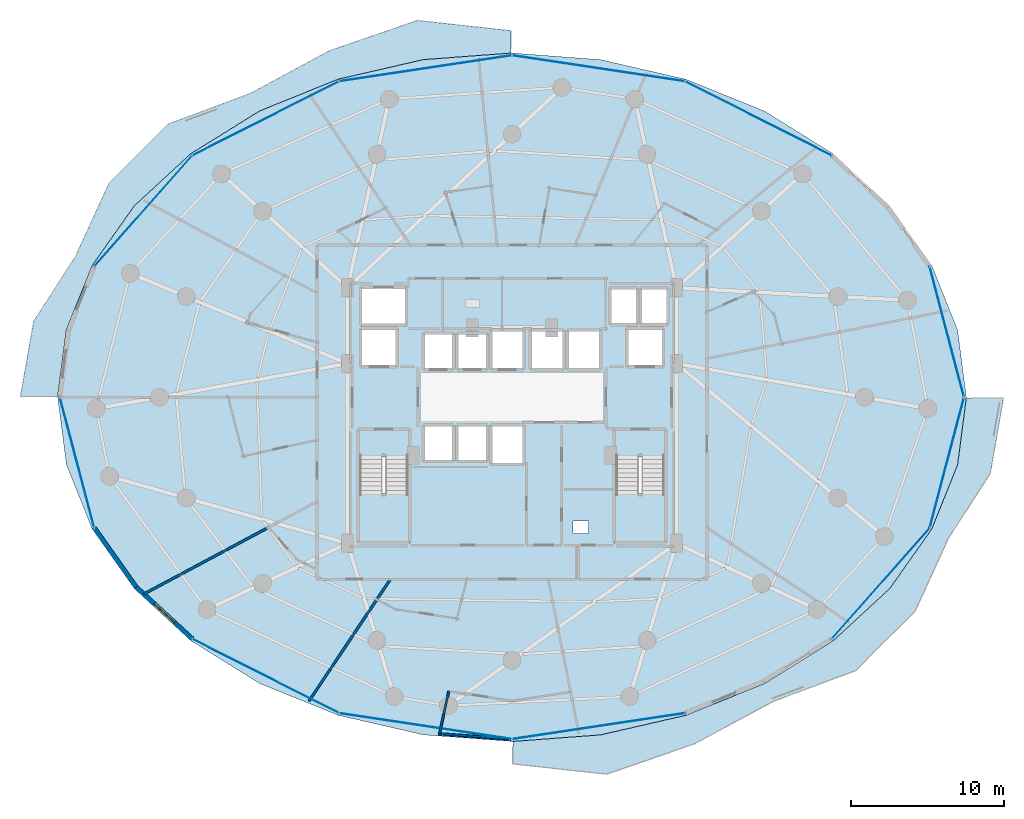
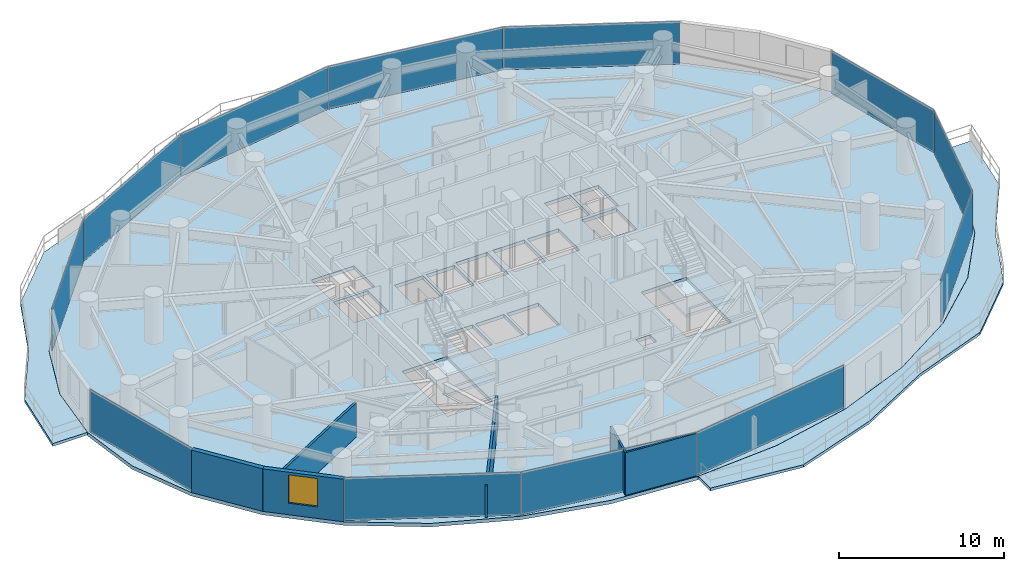
# One storey, part 25 of 34: 12 plates, 6 walls, 5 slabs, 1 window, 1 opening, 6 elements without a shape of their own.
"""IFC4 building model written with IfcOpenShell, lengths in metres."""

from ifc_helpers import new_model, si_unit, direction, frame, frame_2d, origin, origin_2d, place, context, subcontext, project, spatial, polyline, rectangle, outline, extrude, material, layer, layer_set, type_object, element, fill, aggregate, save


model = new_model("IFC4")

# Units and contexts
model_context = context("Model", 3, precision=1e-05, world=origin(), true_north=direction((0.0, 1.0)))
body_context = subcontext(model_context, "Body", "Model", "MODEL_VIEW")
ifc_project = project(units=[si_unit("LENGTHUNIT", "METRE"), si_unit("AREAUNIT", "SQUARE_METRE"), si_unit("VOLUMEUNIT", "CUBIC_METRE"), si_unit("PLANEANGLEUNIT", "RADIAN"), si_unit("MASSUNIT", "GRAM", prefix="KILO")], contexts=[model_context])

# Site, building, storey
site_placement = place(None, origin())
site = spatial("IfcSite", under=ifc_project, at=site_placement, CompositionType="ELEMENT")
building_placement = place(site_placement, origin())
building = spatial("IfcBuilding", under=site, at=building_placement, Name="Vorneva Point Tower", CompositionType="ELEMENT")
storey_placement = place(building_placement, frame((0.0, 0.0, 66.0)))
storey = spatial("IfcBuildingStorey", under=building, at=storey_placement, Name="L17", CompositionType="ELEMENT", Elevation=66.0)

# Curtain wall, plates
ifc_material_1 = material(Name="Pale anodised aluminium", Category="aluminium")
curtain_wall_type = type_object("IfcCurtainWallType", Name="CW-HTL-SYS", PredefinedType="NOTDEFINED", material=ifc_material_1)
curtain_wall_1_placement = place(storey_placement, origin())
curtain_wall_1 = element("IfcCurtainWall", 1, at=curtain_wall_1_placement, inside=storey, type_object=curtain_wall_type, Name="L17 Unitised Curtain Wall CW-L17-R01", PredefinedType="NOTDEFINED")
ifc_material_2 = material(Name="Double low-e laminated glass IGU", Category="glass")
ifc_layer_1 = layer(ifc_material_2, 0.035888671875)
ifc_layer_set_1 = layer_set([ifc_layer_1], Name="Double low-e laminated glass IGU")
plate_type = type_object("IfcPlateType", Name="CW-PNL-VIS", PredefinedType="CURTAIN_PANEL", material=ifc_layer_set_1)
plate_1_placement = place(storey_placement, frame((62.097900390625, 13.821533203125, -0.02001953125), z_axis=(0.0, 0.0, 1.0), x_axis=(0.662070857019, 0.749441245386, 0.0)))
plate_1 = element("IfcPlate", 2, at=plate_1_placement, type_object=plate_type, Name="CW-L17-R01 Glazed Panel 01", PredefinedType="CURTAIN_PANEL", context=body_context, shape_type="SweptSolid", body=[
    extrude(rectangle(XDim=9.625, YDim=0.035888671875, at=origin_2d()), origin(), (0.0, 0.0, 1.0), 3.18994140625),
])
plate_2_placement = place(storey_placement, frame((66.42529296875, 21.723388671875, -0.02001953125), z_axis=(0.0, 0.0, 1.0), x_axis=(0.254348767449, 0.967112560407, 0.0)))
plate_2 = element("IfcPlate", 3, at=plate_2_placement, type_object=plate_type, Name="CW-L17-R01 Glazed Panel 02", PredefinedType="CURTAIN_PANEL", context=body_context, shape_type="SweptSolid", body=[
    extrude(rectangle(XDim=8.793701171875, YDim=0.035888671875, at=origin_2d()), origin(), (0.0, 0.0, 1.0), 3.18994140625),
])
plate_3_placement = place(storey_placement, frame((66.42529296875, 30.276611328125, -0.02001953125), z_axis=(0.0, 0.0, 1.0), x_axis=(-0.254348767449, 0.967112560407, 0.0)))
plate_3 = element("IfcPlate", 4, at=plate_3_placement, type_object=plate_type, Name="CW-L17-R01 Glazed Panel 03", PredefinedType="CURTAIN_PANEL", context=body_context, shape_type="SweptSolid", body=[
    extrude(rectangle(XDim=8.793701171875, YDim=0.035888671875, at=origin_2d()), origin(), (0.0, 0.0, 1.0), 3.18994140625),
])
aggregate(curtain_wall_1, [plate_1, plate_2, plate_3])

curtain_wall_2_placement = place(storey_placement, origin())
curtain_wall_2 = element("IfcCurtainWall", 5, at=curtain_wall_2_placement, inside=storey, type_object=curtain_wall_type, Name="L17 Unitised Curtain Wall CW-L17-R02", PredefinedType="NOTDEFINED")
plate_4_placement = place(storey_placement, frame((54.101806640625, 44.226318359375, -0.02001953125), z_axis=(0.0, 0.0, 1.0), x_axis=(-0.892499239729, 0.451048896554, 0.0)))
plate_4 = element("IfcPlate", 6, at=plate_4_placement, type_object=plate_type, Name="CW-L17-R02 Glazed Panel 01", PredefinedType="CURTAIN_PANEL", context=body_context, shape_type="SweptSolid", body=[
    extrude(rectangle(XDim=10.69140625, YDim=0.035888671875, at=origin_2d()), origin(), (0.0, 0.0, 1.0), 3.18994140625),
])
plate_5_placement = place(storey_placement, frame((43.654296875, 47.499267578125, -0.02001953125), z_axis=(0.0, 0.0, 1.0), x_axis=(-0.988870924381, 0.148775989034, 0.0)))
plate_5 = element("IfcPlate", 7, at=plate_5_placement, type_object=plate_type, Name="CW-L17-R02 Glazed Panel 02", PredefinedType="CURTAIN_PANEL", context=body_context, shape_type="SweptSolid", body=[
    extrude(rectangle(XDim=11.385498046875, YDim=0.035888671875, at=origin_2d()), origin(), (0.0, 0.0, 1.0), 3.18994140625),
])
plate_6_placement = place(storey_placement, frame((32.345703125, 47.499267578125, -0.02001953125), z_axis=(0.0, 0.0, 1.0), x_axis=(-0.988870924381, -0.148775989034, 0.0)))
plate_6 = element("IfcPlate", 8, at=plate_6_placement, type_object=plate_type, Name="CW-L17-R02 Glazed Panel 03", PredefinedType="CURTAIN_PANEL", context=body_context, shape_type="SweptSolid", body=[
    extrude(rectangle(XDim=11.385498046875, YDim=0.035888671875, at=origin_2d()), origin(), (0.0, 0.0, 1.0), 3.18994140625),
])
plate_7_placement = place(storey_placement, frame((21.8984375, 44.226318359375, -0.02001953125), z_axis=(0.0, 0.0, 1.0), x_axis=(-0.892499239729, -0.451048896554, 0.0)))
plate_7 = element("IfcPlate", 9, at=plate_7_placement, type_object=plate_type, Name="CW-L17-R02 Glazed Panel 04", PredefinedType="CURTAIN_PANEL", context=body_context, shape_type="SweptSolid", body=[
    extrude(rectangle(XDim=10.69140625, YDim=0.035888671875, at=origin_2d()), origin(), (0.0, 0.0, 1.0), 3.18994140625),
])
plate_8_placement = place(storey_placement, frame((13.902099609375, 38.178466796875, -0.02001953125), z_axis=(0.0, 0.0, 1.0), x_axis=(-0.662070857019, -0.749441245386, 0.0)))
plate_8 = element("IfcPlate", 10, at=plate_8_placement, type_object=plate_type, Name="CW-L17-R02 Glazed Panel 05", PredefinedType="CURTAIN_PANEL", context=body_context, shape_type="SweptSolid", body=[
    extrude(rectangle(XDim=9.625, YDim=0.035888671875, at=origin_2d()), origin(), (0.0, 0.0, 1.0), 3.18994140625),
])
aggregate(curtain_wall_2, [plate_4, plate_5, plate_6, plate_7, plate_8])

# Curtain wall, plate
curtain_wall_3_placement = place(storey_placement, origin())
curtain_wall_3 = element("IfcCurtainWall", 11, at=curtain_wall_3_placement, inside=storey, type_object=curtain_wall_type, Name="L17 Unitised Curtain Wall CW-L17-R03", PredefinedType="NOTDEFINED")
plate_9_placement = place(storey_placement, frame((9.57470703125, 21.723388671875, -0.02001953125), z_axis=(0.0, 0.0, 1.0), x_axis=(0.254348767449, -0.967112560407, 0.0)))
plate_9 = element("IfcPlate", 12, at=plate_9_placement, type_object=plate_type, Name="CW-L17-R03 Glazed Panel 01", PredefinedType="CURTAIN_PANEL", context=body_context, shape_type="SweptSolid", body=[
    extrude(rectangle(XDim=8.793701171875, YDim=0.035888671875, at=origin_2d()), origin(), (0.0, 0.0, 1.0), 3.18994140625),
])
aggregate(curtain_wall_3, [plate_9])

# Curtain wall, plates
curtain_wall_4_placement = place(storey_placement, origin())
curtain_wall_4 = element("IfcCurtainWall", 13, at=curtain_wall_4_placement, inside=storey, type_object=curtain_wall_type, Name="L17 Unitised Curtain Wall CW-L17-R04", PredefinedType="NOTDEFINED")
plate_10_placement = place(storey_placement, frame((21.8984375, 7.773681640625, -0.02001953125), z_axis=(0.0, 0.0, 1.0), x_axis=(0.892499239729, -0.451048896554, 0.0)))
plate_10 = element("IfcPlate", 14, at=plate_10_placement, type_object=plate_type, Name="CW-L17-R04 Glazed Panel 01", PredefinedType="CURTAIN_PANEL", context=body_context, shape_type="SweptSolid", body=[
    extrude(rectangle(XDim=10.69140625, YDim=0.035888671875, at=origin_2d()), origin(), (0.0, 0.0, 1.0), 3.18994140625),
])
plate_11_placement = place(storey_placement, frame((32.345703125, 4.500732421875, -0.02001953125), z_axis=(0.0, 0.0, 1.0), x_axis=(0.988870924381, -0.148775989034, 0.0)))
plate_11 = element("IfcPlate", 15, at=plate_11_placement, type_object=plate_type, Name="CW-L17-R04 Glazed Panel 02", PredefinedType="CURTAIN_PANEL", context=body_context, shape_type="SweptSolid", body=[
    extrude(rectangle(XDim=11.385498046875, YDim=0.035888671875, at=origin_2d()), origin(), (0.0, 0.0, 1.0), 3.18994140625),
])
plate_12_placement = place(storey_placement, frame((43.654296875, 4.500732421875, -0.02001953125), z_axis=(0.0, 0.0, 1.0), x_axis=(0.988870924381, 0.148775989034, 0.0)))
plate_12 = element("IfcPlate", 16, at=plate_12_placement, type_object=plate_type, Name="CW-L17-R04 Glazed Panel 03", PredefinedType="CURTAIN_PANEL", context=body_context, shape_type="SweptSolid", body=[
    extrude(rectangle(XDim=11.385498046875, YDim=0.035888671875, at=origin_2d()), origin(), (0.0, 0.0, 1.0), 3.18994140625),
])
aggregate(curtain_wall_4, [plate_10, plate_11, plate_12])

# Slabs
ifc_material_3 = material(Name="Concrete B50 (C40/50)", Category="concrete")
ifc_layer_2 = layer(ifc_material_3, 0.199951171875)
ifc_layer_set_2 = layer_set([ifc_layer_2], Name="Concrete B50 (C40/50)")
slab_type_1 = type_object("IfcSlabType", Name="SLB-BAL-200", PredefinedType="FLOOR", material=ifc_layer_set_2)
slab_1_placement = place(storey_placement, frame((0.0, 0.0, -0.199951171875)))
element("IfcSlab", 17, at=slab_1_placement, inside=storey, type_object=slab_type_1, Name="L17 Cantilevered Wave Balcony NW", PredefinedType="FLOOR", context=body_context, shape_type="SweptSolid", body=[
    extrude(outline(polyline([(5.86376953125, 26.050048828125), (8.302490234375, 26.050048828125), (8.86669921875, 30.389892578125), (8.86669921875, 30.390380859375), (8.866943359375, 30.390625), (8.866943359375, 30.39111328125), (10.55712890625, 34.61181640625), (10.557373046875, 34.6123046875), (10.5576171875, 34.61279296875), (13.302001953125, 38.502685546875), (13.302490234375, 38.5029296875), (13.302734375, 38.503173828125), (16.99609375, 41.912841796875), (16.99658203125, 41.9130859375), (16.996826171875, 41.913330078125), (21.49755859375, 44.71142578125), (21.497802734375, 44.711669921875), (21.498046875, 44.7119140625), (26.6328125, 46.791015625), (26.633056640625, 46.791015625), (26.63330078125, 46.791259765625), (32.204833984375, 48.071533203125), (32.205078125, 48.07177734375), (32.20556640625, 48.07177734375), (37.949951171875, 48.500244140625), (37.949951171875, 49.96044921875), (31.81884765625, 50.635498046875), (26.050537109375, 48.647705078125), (20.910888671875, 45.870849609375), (15.5224609375, 43.85888671875), (11.64208984375, 39.96728515625), (9.464111328125, 35.2099609375), (6.7255859375, 30.952880859375), (5.86376953125, 26.050048828125)])), origin(), (0.0, 0.0, 1.0), 0.199951171875),
])
slab_2_placement = place(storey_placement, frame((0.0, 0.0, -0.199951171875)))
element("IfcSlab", 18, at=slab_2_placement, inside=storey, type_object=slab_type_1, Name="L17 Cantilevered Wave Balcony SE", PredefinedType="FLOOR", context=body_context, shape_type="SweptSolid", body=[
    extrude(outline(polyline([(69.2744140625, 21.047119140625), (70.13623046875, 25.949951171875), (67.697509765625, 25.949951171875), (67.13330078125, 21.610107421875), (67.13330078125, 21.609619140625), (67.133056640625, 21.609375), (67.133056640625, 21.60888671875), (65.44287109375, 17.38818359375), (65.442626953125, 17.3876953125), (65.4423828125, 17.38720703125), (62.697998046875, 13.497314453125), (62.697509765625, 13.4970703125), (62.697265625, 13.496826171875), (59.00390625, 10.087158203125), (59.00341796875, 10.0869140625), (59.003173828125, 10.086669921875), (54.50244140625, 7.28857421875), (54.502197265625, 7.288330078125), (54.501953125, 7.2880859375), (49.3671875, 5.208984375), (49.366943359375, 5.208984375), (49.36669921875, 5.208740234375), (43.795166015625, 3.928466796875), (43.794921875, 3.92822265625), (43.79443359375, 3.92822265625), (38.050048828125, 3.499755859375), (38.050048828125, 2.03955078125), (44.18115234375, 1.364501953125), (49.949462890625, 3.352294921875), (55.089111328125, 6.129150390625), (60.4775390625, 8.14111328125), (64.35791015625, 12.03271484375), (66.535888671875, 16.7900390625), (69.2744140625, 21.047119140625)])), origin(), (0.0, 0.0, 1.0), 0.199951171875),
])

# Stair, slab
stair_type = type_object("IfcStairType", Name="ST-DOG-1500", PredefinedType="HALF_TURN_STAIR", material=ifc_material_3)
stair_1_placement = place(storey_placement, origin())
stair_1 = element("IfcStair", 19, at=stair_1_placement, inside=storey, type_object=stair_type, Name="L17 ST1", PredefinedType="HALF_TURN_STAIR")
ifc_layer_3 = layer(ifc_material_3, 0.199951171875)
ifc_layer_set_3 = layer_set([ifc_layer_3], Name="Concrete B50 (C40/50)")
slab_type_2 = type_object("IfcSlabType", Name="SLB-LND-200", PredefinedType="LANDING", material=ifc_layer_set_3)
slab_3_placement = place(storey_placement, frame((0.0, 0.0, 1.550048828125)))
slab_3 = element("IfcSlab", 20, at=slab_3_placement, type_object=slab_type_2, Name="ST1 landing 1", PredefinedType="LANDING", context=body_context, shape_type="SweptSolid", body=[
    extrude(outline(polyline([(27.929931640625, 16.47998046875), (31.320068359375, 16.47998046875), (31.320068359375, 19.72998046875), (27.929931640625, 19.72998046875), (27.929931640625, 16.47998046875)])), origin(), (0.0, 0.0, 1.0), 0.199951171875),
])
aggregate(stair_1, [slab_3])

stair_2_placement = place(storey_placement, origin())
stair_2 = element("IfcStair", 21, at=stair_2_placement, inside=storey, type_object=stair_type, Name="L17 ST2", PredefinedType="HALF_TURN_STAIR")
slab_4_placement = place(storey_placement, frame((0.0, 0.0, 1.550048828125)))
slab_4 = element("IfcSlab", 22, at=slab_4_placement, type_object=slab_type_2, Name="ST2 landing 1", PredefinedType="LANDING", context=body_context, shape_type="SweptSolid", body=[
    extrude(outline(polyline([(44.679931640625, 16.47998046875), (48.070068359375, 16.47998046875), (48.070068359375, 19.72998046875), (44.679931640625, 19.72998046875), (44.679931640625, 16.47998046875)])), origin(), (0.0, 0.0, 1.0), 0.199951171875),
])
aggregate(stair_2, [slab_4])

# Slab
ifc_layer_4 = layer(ifc_material_3, 0.260009765625)
ifc_layer_set_4 = layer_set([ifc_layer_4], Name="Concrete B50 (C40/50)")
slab_type_3 = type_object("IfcSlabType", Name="SLB-TYP-260", PredefinedType="FLOOR", material=ifc_layer_set_4)
slab_5_placement = place(storey_placement, frame((0.0, 0.0, -0.260009765625)))
element("IfcSlab", 23, at=slab_5_placement, inside=storey, type_object=slab_type_3, Name="L17 Structural Floor Plate", PredefinedType="FLOOR", context=body_context, shape_type="SweptSolid", body=[
    extrude(outline(polyline([(67.699951171875, 26.0), (67.12939453125, 30.389404296875), (65.439208984375, 34.6103515625), (62.694580078125, 38.500244140625), (59.001220703125, 41.909912109375), (54.50048828125, 44.7080078125), (49.36572265625, 46.787353515625), (43.794189453125, 48.067626953125), (38.0, 48.5), (32.205810546875, 48.067626953125), (26.63427734375, 46.787353515625), (21.49951171875, 44.7080078125), (16.998779296875, 41.909912109375), (13.305419921875, 38.500244140625), (10.560791015625, 34.6103515625), (8.87060546875, 30.389404296875), (8.300048828125, 26.0), (8.87060546875, 21.610595703125), (10.560791015625, 17.3896484375), (13.305419921875, 13.499755859375), (16.998779296875, 10.090087890625), (21.49951171875, 7.2919921875), (26.63427734375, 5.212646484375), (32.205810546875, 3.932373046875), (38.0, 3.5), (43.794189453125, 3.932373046875), (49.36572265625, 5.212646484375), (54.50048828125, 7.2919921875), (59.001220703125, 10.090087890625), (62.694580078125, 13.499755859375), (65.439208984375, 17.3896484375), (67.12939453125, 21.610595703125), (67.699951171875, 26.0)]), holes=[polyline([(32.199951171875, 27.800048828125), (34.199951171875, 27.800048828125), (34.199951171875, 30.199951171875), (32.199951171875, 30.199951171875), (32.199951171875, 27.800048828125)]), polyline([(34.39990234375, 27.800048828125), (36.39990234375, 27.800048828125), (36.39990234375, 30.199951171875), (34.39990234375, 30.199951171875), (34.39990234375, 27.800048828125)]), polyline([(36.60009765625, 27.800048828125), (38.800048828125, 27.800048828125), (38.800048828125, 30.39990234375), (36.60009765625, 30.39990234375), (36.60009765625, 27.800048828125)]), polyline([(32.199951171875, 21.800048828125), (34.199951171875, 21.800048828125), (34.199951171875, 24.199951171875), (32.199951171875, 24.199951171875), (32.199951171875, 21.800048828125)]), polyline([(34.39990234375, 21.800048828125), (36.39990234375, 21.800048828125), (36.39990234375, 24.199951171875), (34.39990234375, 24.199951171875), (34.39990234375, 21.800048828125)]), polyline([(36.60009765625, 21.60009765625), (38.800048828125, 21.60009765625), (38.800048828125, 24.199951171875), (36.60009765625, 24.199951171875), (36.60009765625, 21.60009765625)]), polyline([(39.199951171875, 27.800048828125), (41.39990234375, 27.800048828125), (41.39990234375, 30.39990234375), (39.199951171875, 30.39990234375), (39.199951171875, 27.800048828125)]), polyline([(41.60009765625, 27.800048828125), (43.800048828125, 27.800048828125), (43.800048828125, 30.39990234375), (41.60009765625, 30.39990234375), (41.60009765625, 27.800048828125)]), polyline([(44.39990234375, 30.739990234375), (46.199951171875, 30.739990234375), (46.199951171875, 33.159912109375), (44.39990234375, 33.159912109375), (44.39990234375, 30.739990234375)]), polyline([(46.39990234375, 30.739990234375), (48.199951171875, 30.739990234375), (48.199951171875, 33.159912109375), (46.39990234375, 33.159912109375), (46.39990234375, 30.739990234375)]), polyline([(28.10009765625, 28.0), (30.5, 28.0), (30.5, 30.5), (28.10009765625, 30.5), (28.10009765625, 28.0)]), polyline([(45.5, 28.0), (47.89990234375, 28.0), (47.89990234375, 30.5), (45.5, 30.5), (45.5, 28.0)]), polyline([(28.10009765625, 30.699951171875), (31.10009765625, 30.699951171875), (31.10009765625, 33.199951171875), (28.10009765625, 33.199951171875), (28.10009765625, 30.699951171875)]), polyline([(28.050048828125, 16.60009765625), (31.199951171875, 16.60009765625), (31.199951171875, 22.080078125), (28.050048828125, 22.080078125), (28.050048828125, 16.60009765625)]), polyline([(44.800048828125, 16.60009765625), (47.949951171875, 16.60009765625), (47.949951171875, 22.080078125), (44.800048828125, 22.080078125), (44.800048828125, 16.60009765625)]), polyline([(42.0, 17.10009765625), (43.0, 17.10009765625), (43.0, 17.89990234375), (42.0, 17.89990234375), (42.0, 17.10009765625)])]), origin(), (0.0, 0.0, 1.0), 0.260009765625),
])

# Wall
ifc_material_4 = material(Name="Precast concrete B50 (C40/50)", Category="concrete")
ifc_layer_5 = layer(ifc_material_4, 0.300048828125)
ifc_layer_set_5 = layer_set([ifc_layer_5], Name="Precast concrete B50 (C40/50)")
wall_type_1 = type_object("IfcWallType", Name="WL-EXT-300", PredefinedType="STANDARD", material=ifc_layer_set_5)
wall_1_placement = place(storey_placement, frame((10.699462890625, 17.447021484375, 0.0), z_axis=(0.0, 0.0, 1.0), x_axis=(0.577130815624, -0.816651713803, 0.0)))
element("IfcWall", 24, at=wall_1_placement, inside=storey, type_object=wall_type_1, Name="L17 Pale-Metal Facade Spandrel Wall 10.1", PredefinedType="STANDARD", context=body_context, shape_type="SweptSolid", body=[
    extrude(rectangle(XDim=4.7314453125, YDim=0.300048828125, at=frame_2d((2.36572265625, 0.0))), origin(), (0.0, 0.0, 1.0), 3.14990234375),
])

# Wall, opening, window
wall_2_placement = place(storey_placement, frame((13.43017578125, 13.5830078125, 0.0), z_axis=(0.0, 0.0, 1.0), x_axis=(0.735342629635, -0.677695519419, 0.0)))
wall_2 = element("IfcWall", 25, at=wall_2_placement, inside=storey, type_object=wall_type_1, Name="L17 Pale-Metal Facade Spandrel Wall 10.2", PredefinedType="STANDARD", context=body_context, shape_type="SweptSolid", body=[
    extrude(rectangle(XDim=4.997314453125, YDim=0.300048828125, at=frame_2d((2.49853515625, 0.0))), origin(), (0.0, 0.0, 1.0), 3.14990234375),
])
opening_placement = place(wall_2_placement, frame((1.598876953125, 0.0, 0.85009765625)))
opening = element("IfcOpeningElement", 26, at=opening_placement, cuts=wall_2, Name="Opening W-01", PredefinedType="OPENING", context=body_context, shape_type="SweptSolid", body=[
    extrude(rectangle(XDim=1.800048828125, YDim=2.10009765625, at=frame_2d((0.89990234375, 1.050048828125))), frame((0.0, 0.1650390625, 0.0), z_axis=(0.0, -1.0, 0.0), x_axis=(1.0, 0.0, 0.0)), (0.0, 0.0, 1.0), 0.329833984375),
])
window_type = type_object("IfcWindowType", Name="WN-LOG-1800", PartitioningType="SINGLE_PANEL", PredefinedType="WINDOW", material=ifc_material_2)
window_placement = place(opening_placement, origin())
window = element("IfcWindow", 27, at=window_placement, inside=storey, type_object=window_type, Name="L17 Facade Window 10", OverallHeight=2.10009765625, OverallWidth=1.800048828125, PartitioningType="SINGLE_PANEL", PredefinedType="WINDOW", context=body_context, shape_type="SweptSolid", body=[
    extrude(rectangle(XDim=1.800048828125, YDim=2.10009765625, at=frame_2d((0.89990234375, 1.050048828125))), frame((0.0, 0.030029296875, 0.0), z_axis=(0.0, -1.0, 0.0), x_axis=(1.0, 0.0, 0.0)), (0.0, 0.0, 1.0), 0.06005859375),
])
fill(opening, window)

# Walls
ifc_material_5 = material(Name="Fire-rated acoustic gypsum stud partition", Category="gypsum")
ifc_layer_6 = layer(ifc_material_5, 0.125)
ifc_layer_set_6 = layer_set([ifc_layer_6], Name="Fire-rated acoustic gypsum stud partition")
wall_type_2 = type_object("IfcWallType", Name="WL-PART-125", PredefinedType="PARTITIONING", material=ifc_layer_set_6)
wall_3_placement = place(storey_placement, frame((33.263916015625, 4.00390625, 0.0), z_axis=(0.0, 0.0, 1.0), x_axis=(0.210697687201, 0.977551269555, 0.0)))
element("IfcWall", 28, at=wall_3_placement, inside=storey, type_object=wall_type_2, Name="L17 Interior Partition 085", PredefinedType="PARTITIONING", context=body_context, shape_type="SweptSolid", body=[
    extrude(rectangle(XDim=2.8388671875, YDim=0.125, at=frame_2d((1.41943359375, 0.0))), origin(), (0.0, 0.0, 1.0), 3.14990234375),
])
wall_4_placement = place(storey_placement, frame((33.2041015625, 4.008056640625, 0.0), z_axis=(0.0, 0.0, 1.0), x_axis=(0.99722311136, -0.074471915311, 0.0)))
element("IfcWall", 29, at=wall_4_placement, inside=storey, type_object=wall_type_2, Name="L17 Interior Partition 088", PredefinedType="PARTITIONING", context=body_context, shape_type="SweptSolid", body=[
    extrude(rectangle(XDim=4.809326171875, YDim=0.125, at=frame_2d((2.40478515625, 0.0))), origin(), (0.0, 0.0, 1.0), 3.14990234375),
])
ifc_layer_7 = layer(ifc_material_5, 0.159912109375)
ifc_layer_set_7 = layer_set([ifc_layer_7], Name="Fire-rated acoustic gypsum stud partition")
wall_type_3 = type_object("IfcWallType", Name="WL-PART-160", PredefinedType="PARTITIONING", material=ifc_layer_set_7)
wall_5_placement = place(storey_placement, frame((13.925048828125, 13.132080078125, 0.0), z_axis=(0.0, 0.0, 1.0), x_axis=(0.881931293807, 0.471377972548, 0.0)))
element("IfcWall", 30, at=wall_5_placement, inside=storey, type_object=wall_type_3, Name="L17 Interior Partition 077", PredefinedType="PARTITIONING", context=body_context, shape_type="SweptSolid", body=[
    extrude(rectangle(XDim=9.336181640625, YDim=0.159912109375, at=frame_2d((4.66796875, 0.0))), origin(), (0.0, 0.0, 1.0), 2.533935546875),
])
wall_6_placement = place(storey_placement, frame((24.73291015625, 6.14404296875, 0.0), z_axis=(0.0, 0.0, 1.0), x_axis=(0.555577192504, 0.831464962082, 0.0)))
element("IfcWall", 31, at=wall_6_placement, inside=storey, type_object=wall_type_3, Name="L17 Interior Partition 081", PredefinedType="PARTITIONING", context=body_context, shape_type="SweptSolid", body=[
    extrude(rectangle(XDim=9.568603515625, YDim=0.159912109375, at=frame_2d((4.7841796875, 0.0))), origin(), (0.0, 0.0, 1.0), 2.342041015625),
])

save(model, "model.ifc")
